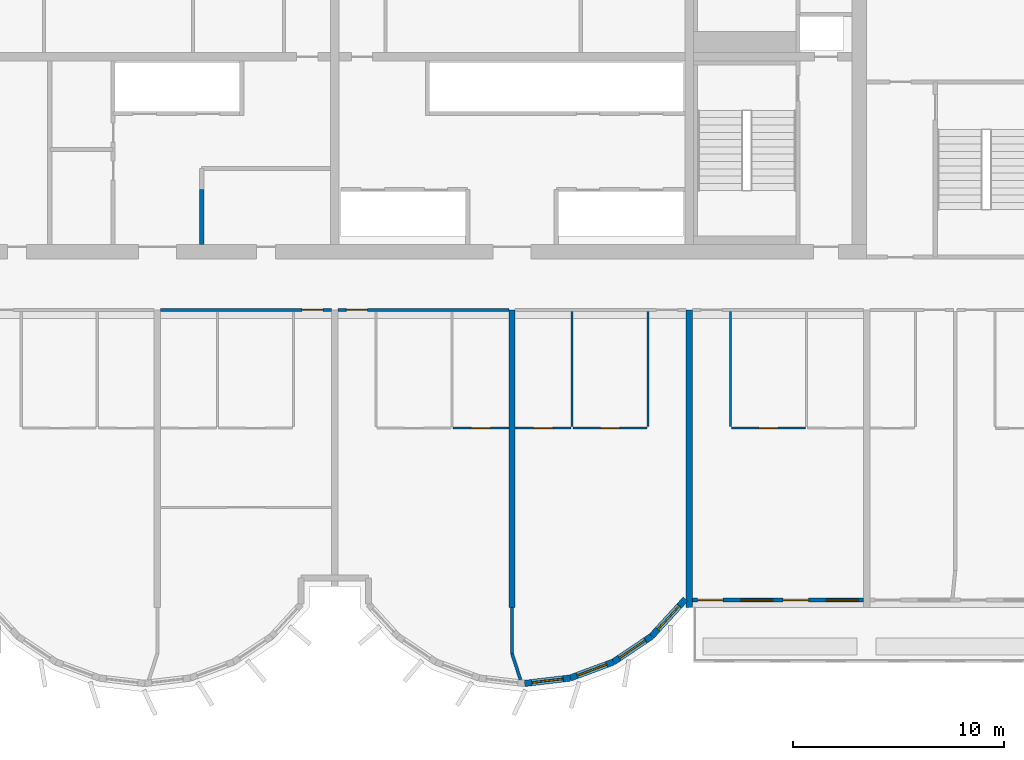
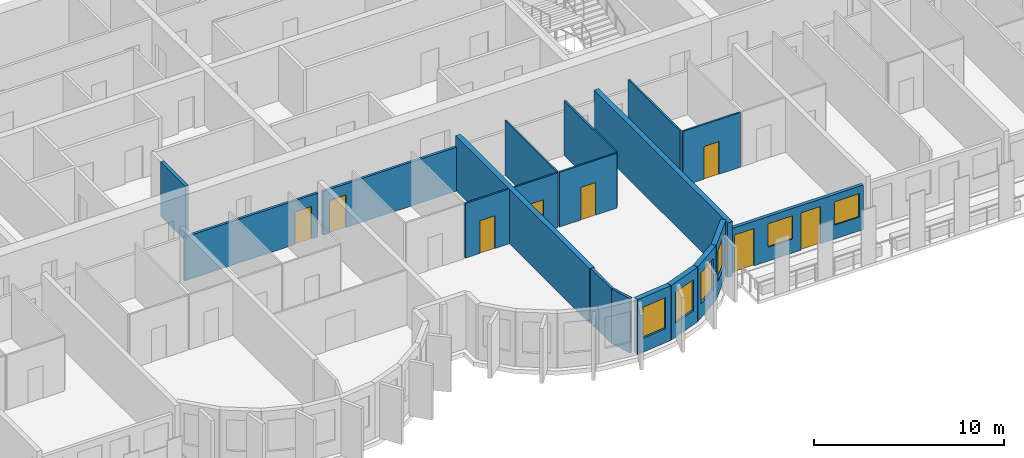
# One storey, part 5 of 13: 19 walls, 8 doors, 6 windows, 14 openings.
"""IFC4 building model written with IfcOpenShell, lengths in metres."""

from ifc_helpers import new_model, si_unit, direction, frame, frame_2d, origin, place, context, subcontext, project, spatial, rectangle, extrude, source, transform, mapped, material, layer, layer_set, type_object, element, fill, save


model = new_model("IFC4")

# Units and contexts
model_context = context("Model", 3, precision=1e-05, world=origin(), true_north=direction((0.0, 1.0)))
body_context = subcontext(model_context, "Body", "Model", "MODEL_VIEW")
ifc_project = project(units=[si_unit("LENGTHUNIT", "METRE"), si_unit("AREAUNIT", "SQUARE_METRE"), si_unit("VOLUMEUNIT", "CUBIC_METRE"), si_unit("PLANEANGLEUNIT", "RADIAN"), si_unit("MASSUNIT", "GRAM", prefix="KILO")], contexts=[model_context])

# Site, building, storey
site_placement = place(None, origin())
site = spatial("IfcSite", under=ifc_project, at=site_placement, CompositionType="ELEMENT")
building_placement = place(site_placement, origin())
building = spatial("IfcBuilding", under=site, at=building_placement, Name="Vanashikhar Sky Hotel", CompositionType="ELEMENT")
storey_placement = place(building_placement, frame((0.0, 0.0, 189.60009765625)))
storey = spatial("IfcBuildingStorey", under=building, at=storey_placement, Name="L46", CompositionType="ELEMENT", Elevation=189.60009765625)

# Walls
ifc_material_1 = material(Name="Concrete M60", Category="concrete")
ifc_layer_1 = layer(ifc_material_1, 0.300048828125)
ifc_layer_set_1 = layer_set([ifc_layer_1], Name="RC shear wall 300 Concrete M60")
wall_type_1 = type_object("IfcWallType", Name="RC shear wall 300 Concrete M60", PredefinedType="SHEAR", material=ifc_layer_set_1)
shared_shape_1 = source(origin(), body_context, "Body", "SweptSolid", [
    extrude(rectangle(XDim=14.10009765625, YDim=0.300048828125, at=frame_2d((7.050048828125, 0.0))), origin(), (0.0, 0.0, 1.0), 3.52001953125),
])
for number, where, z_axis, x_axis, name in (
    (1, (58.800048828125, 5.5, 0.0), (0.0, 0.0, 1.0), (0.0, 1.0, 0.0), "CW-L46-XW08-1"),
    (2, (67.199951171875, 5.5, 0.0), (0.0, 0.0, 1.0), (0.0, 1.0, 0.0), "CW-L46-XW09-1"),
):
    element("IfcWall", number, at=place(storey_placement, frame(where, z_axis=z_axis, x_axis=x_axis)), inside=storey, type_object=wall_type_1, Name=name, PredefinedType="SHEAR", context=body_context, shape_type="MappedRepresentation", body=[
        mapped(shared_shape_1, transform((0.0, 0.0, 0.0), scale=1.0)),
    ])

# Wall, opening, window
ifc_material_2 = material(Name="Concrete M50", Category="concrete")
ifc_layer_2 = layer(ifc_material_2, 0.300048828125)
ifc_layer_set_2 = layer_set([ifc_layer_2], Name="Lobe wall 300")
wall_type_2 = type_object("IfcWallType", Name="Lobe wall 300", PredefinedType="SOLIDWALL", material=ifc_layer_set_2)
shared_shape_2 = source(origin(), body_context, "Body", "SweptSolid", [
    extrude(rectangle(XDim=2.398193359375, YDim=0.300048828125, at=frame_2d((1.19921875, 0.0))), origin(), (0.0, 0.0, 1.0), 3.52001953125),
])
wall_1_placement = place(storey_placement, frame((65.404296875, 4.13134765625, 0.0), z_axis=(0.0, 0.0, 1.0), x_axis=(0.675374189419, 0.737475222815, 0.0)))
wall_1 = element("IfcWall", 3, at=wall_1_placement, inside=storey, type_object=wall_type_2, Name="Lobe wall", PredefinedType="SOLIDWALL", context=body_context, shape_type="MappedRepresentation", body=[
    mapped(shared_shape_2, transform((0.0, 0.0, 0.0), scale=1.0)),
])
shared_shape_3 = source(origin(), body_context, "Body", "SweptSolid", [
    extrude(rectangle(XDim=1.5, YDim=2.0, at=frame_2d((0.75, 1.0))), frame((0.0, 0.16015625, 0.0), z_axis=(0.0, -1.0, 0.0), x_axis=(1.0, 0.0, 0.0)), (0.0, 0.0, 1.0), 0.320068359375),
])
opening_1_placement = place(wall_1_placement, frame((0.44921875, 0.0, 0.89990234375)))
opening_1 = element("IfcOpeningElement", 4, at=opening_1_placement, cuts=wall_1, Name="Opening WN-2", PredefinedType="OPENING", context=body_context, shape_type="MappedRepresentation", body=[
    mapped(shared_shape_3, transform((0.0, 0.0, 0.0), scale=1.0)),
])
ifc_material_3 = material(Name="Glass", Category="glass")
window_type_1 = type_object("IfcWindowType", Name="Lobe window 1500 x 2000", PartitioningType="SINGLE_PANEL", PredefinedType="WINDOW", material=ifc_material_3)
shared_shape_4 = source(origin(), body_context, "Body", "SweptSolid", [
    extrude(rectangle(XDim=1.5, YDim=2.0, at=frame_2d((0.75, 1.0))), frame((0.0, 0.030029296875, 0.0), z_axis=(0.0, -1.0, 0.0), x_axis=(1.0, 0.0, 0.0)), (0.0, 0.0, 1.0), 0.06005859375),
])
window_1_placement = place(opening_1_placement, origin())
window_1 = element("IfcWindow", 5, at=window_1_placement, inside=storey, type_object=window_type_1, Name="Window WN-2", OverallHeight=2.0, OverallWidth=1.5, PartitioningType="SINGLE_PANEL", PredefinedType="WINDOW", context=body_context, shape_type="MappedRepresentation", body=[
    mapped(shared_shape_4, transform((0.0, 0.0, 0.0), scale=1.0)),
])
fill(opening_1, window_1)

shared_shape_5 = source(origin(), body_context, "Body", "SweptSolid", [
    extrude(rectangle(XDim=2.17578125, YDim=0.300048828125, at=frame_2d((1.087890625, 0.0))), origin(), (0.0, 0.0, 1.0), 3.52001953125),
])
wall_2_placement = place(storey_placement, frame((63.59912109375, 2.91650390625, 0.0), z_axis=(0.0, 0.0, 1.0), x_axis=(0.829625727223, 0.558319937607, 0.0)))
wall_2 = element("IfcWall", 6, at=wall_2_placement, inside=storey, type_object=wall_type_2, Name="Lobe wall", PredefinedType="SOLIDWALL", context=body_context, shape_type="MappedRepresentation", body=[
    mapped(shared_shape_5, transform((0.0, 0.0, 0.0), scale=1.0)),
])
opening_2_placement = place(wall_2_placement, frame((0.337890625, 0.0, 0.89990234375)))
opening_2 = element("IfcOpeningElement", 7, at=opening_2_placement, cuts=wall_2, Name="Opening WN-2", PredefinedType="OPENING", context=body_context, shape_type="MappedRepresentation", body=[
    mapped(shared_shape_3, transform((0.0, 0.0, 0.0), scale=1.0)),
])
window_2_placement = place(opening_2_placement, origin())
window_2 = element("IfcWindow", 8, at=window_2_placement, inside=storey, type_object=window_type_1, Name="Window WN-2", OverallHeight=2.0, OverallWidth=1.5, PartitioningType="SINGLE_PANEL", PredefinedType="WINDOW", context=body_context, shape_type="MappedRepresentation", body=[
    mapped(shared_shape_4, transform((0.0, 0.0, 0.0), scale=1.0)),
])
fill(opening_2, window_2)

shared_shape_6 = source(origin(), body_context, "Body", "SweptSolid", [
    extrude(rectangle(XDim=2.1748046875, YDim=0.300048828125, at=frame_2d((1.08740234375, 0.0))), origin(), (0.0, 0.0, 1.0), 3.52001953125),
])
wall_3_placement = place(storey_placement, frame((59.39990234375, 1.90283203125, 0.0), z_axis=(0.0, 0.0, 1.0), x_axis=(0.993002698611, 0.118091661648, 0.0)))
wall_3 = element("IfcWall", 9, at=wall_3_placement, inside=storey, type_object=wall_type_2, Name="Lobe wall", PredefinedType="SOLIDWALL", context=body_context, shape_type="MappedRepresentation", body=[
    mapped(shared_shape_6, transform((0.0, 0.0, 0.0), scale=1.0)),
])
opening_3_placement = place(wall_3_placement, frame((0.33740234375, 0.0, 0.89990234375)))
opening_3 = element("IfcOpeningElement", 10, at=opening_3_placement, cuts=wall_3, Name="Opening WN-2", PredefinedType="OPENING", context=body_context, shape_type="MappedRepresentation", body=[
    mapped(shared_shape_3, transform((0.0, 0.0, 0.0), scale=1.0)),
])
window_3_placement = place(opening_3_placement, origin())
window_3 = element("IfcWindow", 11, at=window_3_placement, inside=storey, type_object=window_type_1, Name="Window WN-2", OverallHeight=2.0, OverallWidth=1.5, PartitioningType="SINGLE_PANEL", PredefinedType="WINDOW", context=body_context, shape_type="MappedRepresentation", body=[
    mapped(shared_shape_4, transform((0.0, 0.0, 0.0), scale=1.0)),
])
fill(opening_3, window_3)

shared_shape_7 = source(origin(), body_context, "Body", "SweptSolid", [
    extrude(rectangle(XDim=2.175537109375, YDim=0.300048828125, at=frame_2d((1.087890625, 0.0))), origin(), (0.0, 0.0, 1.0), 3.52001953125),
])
wall_4_placement = place(storey_placement, frame((61.5595703125, 2.15966796875, 0.0), z_axis=(0.0, 0.0, 1.0), x_axis=(0.937531979054, 0.347899106424, 0.0)))
wall_4 = element("IfcWall", 12, at=wall_4_placement, inside=storey, type_object=wall_type_2, Name="Lobe wall", PredefinedType="SOLIDWALL", context=body_context, shape_type="MappedRepresentation", body=[
    mapped(shared_shape_7, transform((0.0, 0.0, 0.0), scale=1.0)),
])
opening_4_placement = place(wall_4_placement, frame((0.337890625, 0.0, 0.89990234375)))
opening_4 = element("IfcOpeningElement", 13, at=opening_4_placement, cuts=wall_4, Name="Opening WN-2", PredefinedType="OPENING", context=body_context, shape_type="MappedRepresentation", body=[
    mapped(shared_shape_3, transform((0.0, 0.0, 0.0), scale=1.0)),
])
window_4_placement = place(opening_4_placement, origin())
window_4 = element("IfcWindow", 14, at=window_4_placement, inside=storey, type_object=window_type_1, Name="Window WN-2", OverallHeight=2.0, OverallWidth=1.5, PartitioningType="SINGLE_PANEL", PredefinedType="WINDOW", context=body_context, shape_type="MappedRepresentation", body=[
    mapped(shared_shape_4, transform((0.0, 0.0, 0.0), scale=1.0)),
])
fill(opening_4, window_4)

# Wall, openings, windows, doors
ifc_layer_3 = layer(ifc_material_2, 0.199951171875)
ifc_layer_set_3 = layer_set([ifc_layer_3], Name="Front window wall 200")
wall_type_3 = type_object("IfcWallType", Name="Front window wall 200", PredefinedType="SOLIDWALL", material=ifc_layer_set_3)
shared_shape_8 = source(origin(), body_context, "Body", "SweptSolid", [
    extrude(rectangle(XDim=8.099853515625, YDim=0.199951171875, at=frame_2d((4.0498046875, 0.0))), origin(), (0.0, 0.0, 1.0), 2.869873046875),
])
wall_5_placement = place(storey_placement, frame((67.35009765625, 5.85009765625, 0.0), z_axis=(0.0, 0.0, 1.0), x_axis=(1.0, 0.0, 0.0)))
wall_5 = element("IfcWall", 15, at=wall_5_placement, inside=storey, type_object=wall_type_3, Name="Front window wall", PredefinedType="SOLIDWALL", context=body_context, shape_type="MappedRepresentation", body=[
    mapped(shared_shape_8, transform((0.0, 0.0, 0.0), scale=1.0)),
])
shared_shape_9 = source(origin(), body_context, "Body", "SweptSolid", [
    extrude(rectangle(XDim=1.199951171875, YDim=2.39990234375, at=frame_2d((0.60009765625, 1.199951171875))), frame((0.0, 0.10986328125, 0.0), z_axis=(0.0, -1.0, 0.0), x_axis=(1.0, 0.0, 0.0)), (0.0, 0.0, 1.0), 0.219970703125),
])
opening_5_placement = place(wall_5_placement, frame((0.25, 0.0, 0.0)))
opening_5 = element("IfcOpeningElement", 16, at=opening_5_placement, cuts=wall_5, Name="Opening BD-06", PredefinedType="OPENING", context=body_context, shape_type="MappedRepresentation", body=[
    mapped(shared_shape_9, transform((0.0, 0.0, 0.0), scale=1.0)),
])
shared_shape_10 = source(origin(), body_context, "Body", "SweptSolid", [
    extrude(rectangle(XDim=1.5, YDim=1.5, at=frame_2d((0.75, 0.75))), frame((0.0, 0.10986328125, 0.0), z_axis=(0.0, -1.0, 0.0), x_axis=(1.0, 0.0, 0.0)), (0.0, 0.0, 1.0), 0.219970703125),
])
opening_6_placement = place(wall_5_placement, frame((2.300048828125, 0.0, 0.89990234375)))
opening_6 = element("IfcOpeningElement", 17, at=opening_6_placement, cuts=wall_5, Name="Opening WN-1", PredefinedType="OPENING", context=body_context, shape_type="MappedRepresentation", body=[
    mapped(shared_shape_10, transform((0.0, 0.0, 0.0), scale=1.0)),
])
opening_7_placement = place(wall_5_placement, frame((4.300048828125, 0.0, 0.0)))
opening_7 = element("IfcOpeningElement", 18, at=opening_7_placement, cuts=wall_5, Name="Opening BD-07", PredefinedType="OPENING", context=body_context, shape_type="MappedRepresentation", body=[
    mapped(shared_shape_9, transform((0.0, 0.0, 0.0), scale=1.0)),
])
opening_8_placement = place(wall_5_placement, frame((6.35009765625, 0.0, 0.89990234375)))
opening_8 = element("IfcOpeningElement", 19, at=opening_8_placement, cuts=wall_5, Name="Opening WN-1", PredefinedType="OPENING", context=body_context, shape_type="MappedRepresentation", body=[
    mapped(shared_shape_10, transform((0.0, 0.0, 0.0), scale=1.0)),
])
window_type_2 = type_object("IfcWindowType", Name="Window 1500 x 1500", PartitioningType="SINGLE_PANEL", PredefinedType="WINDOW", material=ifc_material_3)
shared_shape_11 = source(origin(), body_context, "Body", "SweptSolid", [
    extrude(rectangle(XDim=1.5, YDim=1.5, at=frame_2d((0.75, 0.75))), frame((0.0, 0.030029296875, 0.0), z_axis=(0.0, -1.0, 0.0), x_axis=(1.0, 0.0, 0.0)), (0.0, 0.0, 1.0), 0.06005859375),
])
window_5_placement = place(opening_6_placement, origin())
window_5 = element("IfcWindow", 20, at=window_5_placement, inside=storey, type_object=window_type_2, Name="Window WN-1", OverallHeight=1.5, OverallWidth=1.5, PartitioningType="SINGLE_PANEL", PredefinedType="WINDOW", context=body_context, shape_type="MappedRepresentation", body=[
    mapped(shared_shape_11, transform((0.0, 0.0, 0.0), scale=1.0)),
])
fill(opening_6, window_5)
window_6_placement = place(opening_8_placement, origin())
window_6 = element("IfcWindow", 21, at=window_6_placement, inside=storey, type_object=window_type_2, Name="Window WN-1", OverallHeight=1.5, OverallWidth=1.5, PartitioningType="SINGLE_PANEL", PredefinedType="WINDOW", context=body_context, shape_type="MappedRepresentation", body=[
    mapped(shared_shape_11, transform((0.0, 0.0, 0.0), scale=1.0)),
])
fill(opening_8, window_6)
ifc_material_4 = material(Name="Aluminium", Category="aluminium")
door_type_1 = type_object("IfcDoorType", Name="Balcony sliding door 1200 x 2400", OperationType="NOTDEFINED", PredefinedType="DOOR", material=ifc_material_4)
shared_shape_12 = source(origin(), body_context, "Body", "SweptSolid", [
    extrude(rectangle(XDim=1.199951171875, YDim=2.39990234375, at=frame_2d((0.60009765625, 1.199951171875))), frame((0.0, 0.02490234375, 0.0), z_axis=(0.0, -1.0, 0.0), x_axis=(1.0, 0.0, 0.0)), (0.0, 0.0, 1.0), 0.050048828125),
])
door_1_placement = place(opening_5_placement, origin())
door_1 = element("IfcDoor", 22, at=door_1_placement, inside=storey, type_object=door_type_1, Name="Balcony sliding door", OperationType="SLIDING_TO_RIGHT", OverallHeight=2.39990234375, OverallWidth=1.199951171875, PredefinedType="DOOR", context=body_context, shape_type="MappedRepresentation", body=[
    mapped(shared_shape_12, transform((0.0, 0.0, 0.0), scale=1.0)),
])
fill(opening_5, door_1)
door_2_placement = place(opening_7_placement, origin())
door_2 = element("IfcDoor", 23, at=door_2_placement, inside=storey, type_object=door_type_1, Name="Balcony sliding door", OperationType="SLIDING_TO_LEFT", OverallHeight=2.39990234375, OverallWidth=1.199951171875, PredefinedType="DOOR", context=body_context, shape_type="MappedRepresentation", body=[
    mapped(shared_shape_12, transform((0.0, 0.0, 0.0), scale=1.0)),
])
fill(opening_7, door_2)

# Walls
ifc_material_5 = material(Name="Gypsum board partition")
ifc_layer_4 = layer(ifc_material_5, 0.14990234375)
ifc_layer_set_4 = layer_set([ifc_layer_4], Name="Service partition 150")
wall_type_4 = type_object("IfcWallType", Name="Service partition 150", PredefinedType="PARTITIONING", material=ifc_layer_set_4)
shared_shape_13 = source(origin(), body_context, "Body", "SweptSolid", [
    extrude(rectangle(XDim=2.60009765625, YDim=0.199951171875, at=frame_2d((1.300048828125, 0.0))), origin(), (0.0, 0.0, 1.0), 3.52001953125),
])
wall_6_placement = place(storey_placement, frame((44.10009765625, 22.699951171875, 0.0), z_axis=(0.0, 0.0, 1.0), x_axis=(0.0, 1.0, 0.0)))
element("IfcWall", 24, at=wall_6_placement, inside=storey, type_object=wall_type_4, Name="Service partition 150", PredefinedType="PARTITIONING", context=body_context, shape_type="MappedRepresentation", body=[
    mapped(shared_shape_13, transform((0.0, 0.0, 0.0), scale=1.0)),
])
ifc_material_6 = material(Name="Gypsum plasterboard partition")
ifc_layer_5 = layer(ifc_material_6, 0.14990234375)
ifc_layer_set_5 = layer_set([ifc_layer_5], Name="Corridor and demising partition 150")
wall_type_5 = type_object("IfcWallType", Name="Corridor and demising partition 150", PredefinedType="PARTITIONING", material=ifc_layer_set_5)
shared_shape_14 = source(origin(), body_context, "Body", "SweptSolid", [
    extrude(rectangle(XDim=2.177978515625, YDim=0.14990234375, at=frame_2d((1.0888671875, 0.0))), origin(), (0.0, 0.0, 1.0), 3.52001953125),
])
wall_7_placement = place(storey_placement, frame((58.800048828125, 3.322021484375, 0.0), z_axis=(0.0, 0.0, 1.0), x_axis=(0.0, 1.0, 0.0)))
element("IfcWall", 25, at=wall_7_placement, inside=storey, type_object=wall_type_5, Name="W-L46-PW059", PredefinedType="PARTITIONING", context=body_context, shape_type="MappedRepresentation", body=[
    mapped(shared_shape_14, transform((0.0, 0.0, 0.0), scale=1.0)),
])

# Wall, opening, door
ifc_layer_6 = layer(ifc_material_6, 0.10009765625)
ifc_layer_set_6 = layer_set([ifc_layer_6], Name="Wet room partition 100")
wall_type_6 = type_object("IfcWallType", Name="Wet room partition 100", PredefinedType="PARTITIONING", material=ifc_layer_set_6)
shared_shape_15 = source(origin(), body_context, "Body", "SweptSolid", [
    extrude(rectangle(XDim=3.5, YDim=0.10009765625, at=frame_2d((1.75, 0.0))), origin(), (0.0, 0.0, 1.0), 3.52001953125),
])
wall_8_placement = place(storey_placement, frame((61.699951171875, 14.0, 0.0), z_axis=(0.0, 0.0, 1.0), x_axis=(1.0, 0.0, 0.0)))
wall_8 = element("IfcWall", 26, at=wall_8_placement, inside=storey, type_object=wall_type_6, Name="W-L46-PW036", PredefinedType="PARTITIONING", context=body_context, shape_type="MappedRepresentation", body=[
    mapped(shared_shape_15, transform((0.0, 0.0, 0.0), scale=1.0)),
])
shared_shape_16 = source(origin(), body_context, "Body", "SweptSolid", [
    extrude(rectangle(XDim=0.89990234375, YDim=2.10009765625, at=frame_2d((0.449951171875, 1.050048828125))), frame((0.0, 0.06005859375, 0.0), z_axis=(0.0, -1.0, 0.0), x_axis=(1.0, 0.0, 0.0)), (0.0, 0.0, 1.0), 0.1201171875),
])
opening_9_placement = place(wall_8_placement, frame((1.300048828125, 0.0, 0.0)))
opening_9 = element("IfcOpeningElement", 27, at=opening_9_placement, cuts=wall_8, Name="Opening D-02", PredefinedType="OPENING", context=body_context, shape_type="MappedRepresentation", body=[
    mapped(shared_shape_16, transform((0.0, 0.0, 0.0), scale=1.0)),
])
ifc_material_7 = material(Name="Timber door", Category="wood")
door_type_2 = type_object("IfcDoorType", Name="Internal door 900", OperationType="NOTDEFINED", PredefinedType="DOOR", material=ifc_material_7)
shared_shape_17 = source(origin(), body_context, "Body", "SweptSolid", [
    extrude(rectangle(XDim=0.89990234375, YDim=2.10009765625, at=frame_2d((0.449951171875, 1.050048828125))), frame((0.0, 0.02490234375, 0.0), z_axis=(0.0, -1.0, 0.0), x_axis=(1.0, 0.0, 0.0)), (0.0, 0.0, 1.0), 0.050048828125),
])
door_3_placement = place(opening_9_placement, origin())
door_3 = element("IfcDoor", 28, at=door_3_placement, inside=storey, type_object=door_type_2, Name="D-L46-021", OperationType="SINGLE_SWING_RIGHT", OverallHeight=2.10009765625, OverallWidth=0.89990234375, PredefinedType="DOOR", context=body_context, shape_type="MappedRepresentation", body=[
    mapped(shared_shape_17, transform((0.0, 0.0, 0.0), scale=1.0)),
])
fill(opening_9, door_3)

wall_9_placement = place(storey_placement, frame((69.199951171875, 14.0, 0.0), z_axis=(0.0, 0.0, 1.0), x_axis=(1.0, 0.0, 0.0)))
wall_9 = element("IfcWall", 29, at=wall_9_placement, inside=storey, type_object=wall_type_6, Name="W-L46-PW041", PredefinedType="PARTITIONING", context=body_context, shape_type="MappedRepresentation", body=[
    mapped(shared_shape_15, transform((0.0, 0.0, 0.0), scale=1.0)),
])
opening_10_placement = place(wall_9_placement, frame((1.300048828125, 0.0, 0.0)))
opening_10 = element("IfcOpeningElement", 30, at=opening_10_placement, cuts=wall_9, Name="Opening D-02", PredefinedType="OPENING", context=body_context, shape_type="MappedRepresentation", body=[
    mapped(shared_shape_16, transform((0.0, 0.0, 0.0), scale=1.0)),
])
door_4_placement = place(opening_10_placement, origin())
door_4 = element("IfcDoor", 31, at=door_4_placement, inside=storey, type_object=door_type_2, Name="D-L46-024", OperationType="SINGLE_SWING_LEFT", OverallHeight=2.10009765625, OverallWidth=0.89990234375, PredefinedType="DOOR", context=body_context, shape_type="MappedRepresentation", body=[
    mapped(shared_shape_17, transform((0.0, 0.0, 0.0), scale=1.0)),
])
fill(opening_10, door_4)

# Walls
shared_shape_18 = source(origin(), body_context, "Body", "SweptSolid", [
    extrude(rectangle(XDim=1.308349609375, YDim=0.14990234375, at=frame_2d((0.654296875, 0.0))), origin(), (0.0, 0.0, 1.0), 3.52001953125),
])
wall_10_placement = place(storey_placement, frame((59.201904296875, 2.076904296875, 0.0), z_axis=(0.0, 0.0, 1.0), x_axis=(-0.307144529633, 0.951662880392, 0.0)))
element("IfcWall", 32, at=wall_10_placement, inside=storey, type_object=wall_type_5, Name="W-L46-PW059B0", PredefinedType="PARTITIONING", context=body_context, shape_type="MappedRepresentation", body=[
    mapped(shared_shape_18, transform((0.0, 0.0, 0.0), scale=1.0)),
])
shared_shape_19 = source(origin(), body_context, "Body", "SweptSolid", [
    extrude(rectangle(XDim=5.449951171875, YDim=0.10009765625, at=frame_2d((2.72509765625, 0.0))), origin(), (0.0, 0.0, 1.0), 3.52001953125),
])
for number, where, z_axis, x_axis, name in (
    (33, (65.25, 14.074951171875, 0.0), (0.0, 0.0, 1.0), (0.0, 1.0, 0.0), "W-L46-PW034"),
    (34, (61.64990234375, 14.074951171875, 0.0), (0.0, 0.0, 1.0), (0.0, 1.0, 0.0), "W-L46-PW035"),
    (35, (69.14990234375, 14.074951171875, 0.0), (0.0, 0.0, 1.0), (0.0, 1.0, 0.0), "W-L46-PW039"),
):
    element("IfcWall", number, at=place(storey_placement, frame(where, z_axis=z_axis, x_axis=x_axis)), inside=storey, type_object=wall_type_6, Name=name, PredefinedType="PARTITIONING", context=body_context, shape_type="MappedRepresentation", body=[
        mapped(shared_shape_19, transform((0.0, 0.0, 0.0), scale=1.0)),
    ])

# Wall, opening, door
shared_shape_20 = source(origin(), body_context, "Body", "SweptSolid", [
    extrude(rectangle(XDim=8.10009765625, YDim=0.14990234375, at=frame_2d((4.050048828125, 0.0))), origin(), (0.0, 0.0, 1.0), 2.81982421875),
])
wall_11_placement = place(storey_placement, frame((42.14990234375, 19.60009765625, 0.0), z_axis=(0.0, 0.0, 1.0), x_axis=(1.0, 0.0, 0.0)))
wall_11 = element("IfcWall", 36, at=wall_11_placement, inside=storey, type_object=wall_type_5, Name="W-L46-PW028", PredefinedType="PARTITIONING", context=body_context, shape_type="MappedRepresentation", body=[
    mapped(shared_shape_20, transform((0.0, 0.0, 0.0), scale=1.0)),
])
shared_shape_21 = source(origin(), body_context, "Body", "SweptSolid", [
    extrude(rectangle(XDim=1.0, YDim=2.10009765625, at=frame_2d((0.5, 1.050048828125))), frame((0.0, 0.0849609375, 0.0), z_axis=(0.0, -1.0, 0.0), x_axis=(1.0, 0.0, 0.0)), (0.0, 0.0, 1.0), 0.169921875),
])
opening_11_placement = place(wall_11_placement, frame((6.699951171875, 0.0, 0.0)))
opening_11 = element("IfcOpeningElement", 37, at=opening_11_placement, cuts=wall_11, Name="Opening D-01", PredefinedType="OPENING", context=body_context, shape_type="MappedRepresentation", body=[
    mapped(shared_shape_21, transform((0.0, 0.0, 0.0), scale=1.0)),
])
ifc_material_8 = material(Name="Timber fire door", Category="wood")
door_type_3 = type_object("IfcDoorType", Name="Guest entry door 1000 FD30S", OperationType="NOTDEFINED", PredefinedType="DOOR", material=ifc_material_8)
shared_shape_22 = source(origin(), body_context, "Body", "SweptSolid", [
    extrude(rectangle(XDim=1.0, YDim=2.10009765625, at=frame_2d((0.5, 1.050048828125))), frame((0.0, 0.02490234375, 0.0), z_axis=(0.0, -1.0, 0.0), x_axis=(1.0, 0.0, 0.0)), (0.0, 0.0, 1.0), 0.050048828125),
])
door_5_placement = place(opening_11_placement, origin())
door_5 = element("IfcDoor", 38, at=door_5_placement, inside=storey, type_object=door_type_3, Name="D-L46-017", OperationType="SINGLE_SWING_RIGHT", OverallHeight=2.10009765625, OverallWidth=1.0, PredefinedType="DOOR", context=body_context, shape_type="MappedRepresentation", body=[
    mapped(shared_shape_22, transform((0.0, 0.0, 0.0), scale=1.0)),
])
fill(opening_11, door_5)

shared_shape_23 = source(origin(), body_context, "Body", "SweptSolid", [
    extrude(rectangle(XDim=2.64990234375, YDim=0.10009765625, at=frame_2d((1.324951171875, 0.0))), origin(), (0.0, 0.0, 1.0), 3.52001953125),
])
wall_12_placement = place(storey_placement, frame((56.0, 14.0, 0.0), z_axis=(0.0, 0.0, 1.0), x_axis=(1.0, 0.0, 0.0)))
wall_12 = element("IfcWall", 39, at=wall_12_placement, inside=storey, type_object=wall_type_6, Name="W-L46-PW032", PredefinedType="PARTITIONING", context=body_context, shape_type="MappedRepresentation", body=[
    mapped(shared_shape_23, transform((0.0, 0.0, 0.0), scale=1.0)),
])
opening_12_placement = place(wall_12_placement, frame((0.875, 0.0, 0.0)))
opening_12 = element("IfcOpeningElement", 40, at=opening_12_placement, cuts=wall_12, Name="Opening D-02", PredefinedType="OPENING", context=body_context, shape_type="MappedRepresentation", body=[
    mapped(shared_shape_16, transform((0.0, 0.0, 0.0), scale=1.0)),
])
door_6_placement = place(opening_12_placement, origin())
door_6 = element("IfcDoor", 41, at=door_6_placement, inside=storey, type_object=door_type_2, Name="D-L46-019", OperationType="SINGLE_SWING_LEFT", OverallHeight=2.10009765625, OverallWidth=0.89990234375, PredefinedType="DOOR", context=body_context, shape_type="MappedRepresentation", body=[
    mapped(shared_shape_17, transform((0.0, 0.0, 0.0), scale=1.0)),
])
fill(opening_12, door_6)

shared_shape_24 = source(origin(), body_context, "Body", "SweptSolid", [
    extrude(rectangle(XDim=8.099853515625, YDim=0.14990234375, at=frame_2d((4.0498046875, 0.0))), origin(), (0.0, 0.0, 1.0), 2.81982421875),
])
wall_13_placement = place(storey_placement, frame((50.550048828125, 19.60009765625, 0.0), z_axis=(0.0, 0.0, 1.0), x_axis=(1.0, 0.0, 0.0)))
wall_13 = element("IfcWall", 42, at=wall_13_placement, inside=storey, type_object=wall_type_5, Name="W-L46-PW033", PredefinedType="PARTITIONING", context=body_context, shape_type="MappedRepresentation", body=[
    mapped(shared_shape_24, transform((0.0, 0.0, 0.0), scale=1.0)),
])
opening_13_placement = place(wall_13_placement, frame((0.39990234375, 0.0, 0.0)))
opening_13 = element("IfcOpeningElement", 43, at=opening_13_placement, cuts=wall_13, Name="Opening D-01", PredefinedType="OPENING", context=body_context, shape_type="MappedRepresentation", body=[
    mapped(shared_shape_21, transform((0.0, 0.0, 0.0), scale=1.0)),
])
door_7_placement = place(opening_13_placement, origin())
door_7 = element("IfcDoor", 44, at=door_7_placement, inside=storey, type_object=door_type_3, Name="D-L46-020", OperationType="SINGLE_SWING_LEFT", OverallHeight=2.10009765625, OverallWidth=1.0, PredefinedType="DOOR", context=body_context, shape_type="MappedRepresentation", body=[
    mapped(shared_shape_22, transform((0.0, 0.0, 0.0), scale=1.0)),
])
fill(opening_13, door_7)

shared_shape_25 = source(origin(), body_context, "Body", "SweptSolid", [
    extrude(rectangle(XDim=2.650146484375, YDim=0.10009765625, at=frame_2d((1.3251953125, 0.0))), origin(), (0.0, 0.0, 1.0), 3.52001953125),
])
wall_14_placement = place(storey_placement, frame((58.949951171875, 14.0, 0.0), z_axis=(0.0, 0.0, 1.0), x_axis=(1.0, 0.0, 0.0)))
wall_14 = element("IfcWall", 45, at=wall_14_placement, inside=storey, type_object=wall_type_6, Name="W-L46-PW037", PredefinedType="PARTITIONING", context=body_context, shape_type="MappedRepresentation", body=[
    mapped(shared_shape_25, transform((0.0, 0.0, 0.0), scale=1.0)),
])
opening_14_placement = place(wall_14_placement, frame((0.875, 0.0, 0.0)))
opening_14 = element("IfcOpeningElement", 46, at=opening_14_placement, cuts=wall_14, Name="Opening D-02", PredefinedType="OPENING", context=body_context, shape_type="MappedRepresentation", body=[
    mapped(shared_shape_16, transform((0.0, 0.0, 0.0), scale=1.0)),
])
door_8_placement = place(opening_14_placement, origin())
door_8 = element("IfcDoor", 47, at=door_8_placement, inside=storey, type_object=door_type_2, Name="D-L46-022", OperationType="SINGLE_SWING_RIGHT", OverallHeight=2.10009765625, OverallWidth=0.89990234375, PredefinedType="DOOR", context=body_context, shape_type="MappedRepresentation", body=[
    mapped(shared_shape_17, transform((0.0, 0.0, 0.0), scale=1.0)),
])
fill(opening_14, door_8)

save(model, "model.ifc")
